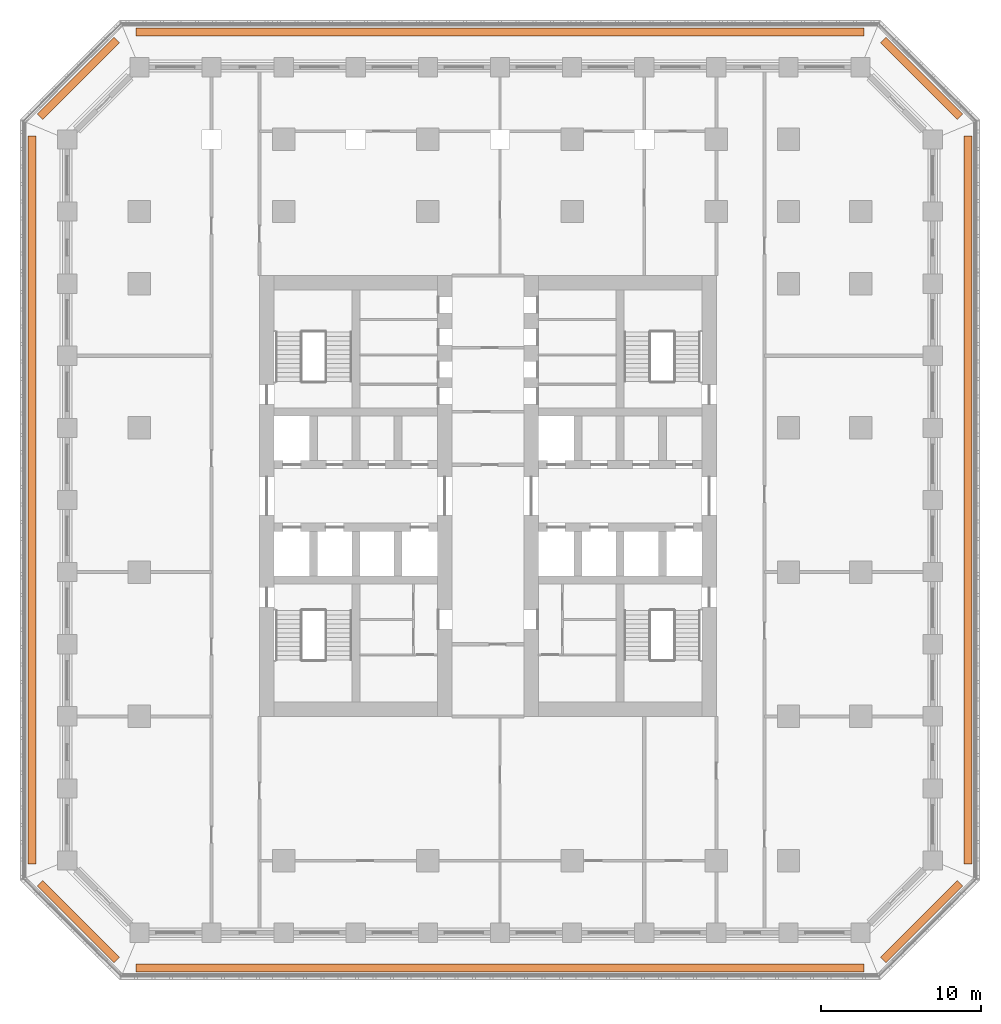
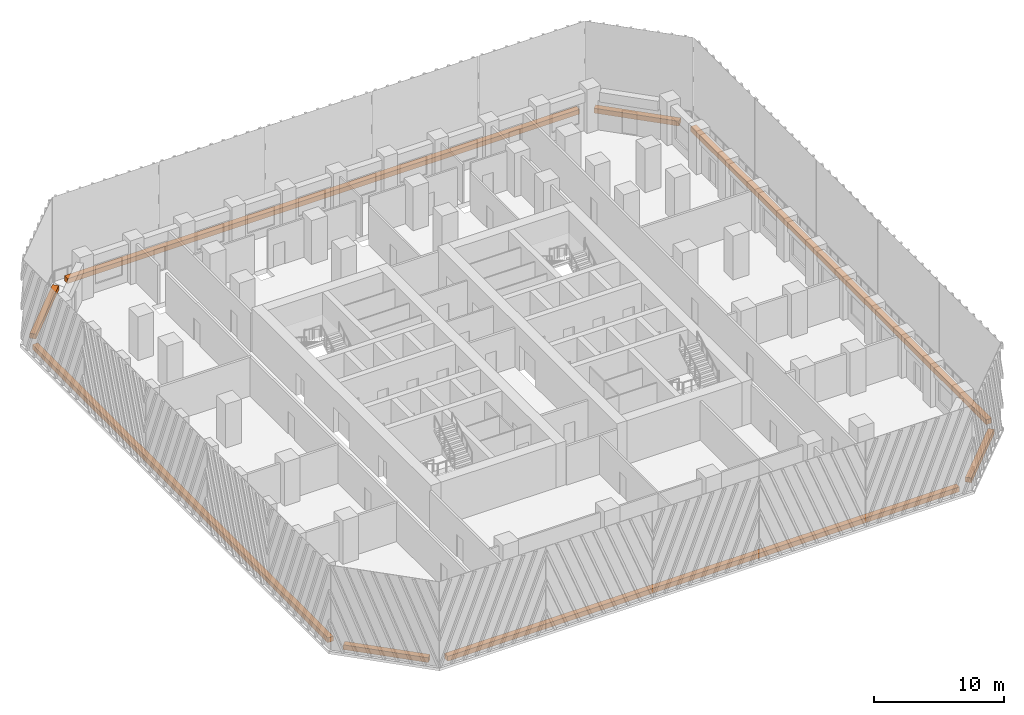
# One storey, part 19 of 19: 8 proxies.
"""IFC4 building model written with IfcOpenShell, lengths in metres."""

from ifc_helpers import new_model, si_unit, direction, frame, origin, origin_2d, place, context, subcontext, project, spatial, rectangle, extrude, material, type_object, element, save


model = new_model("IFC4")

# Units and contexts
model_context = context("Model", 3, precision=1e-05, world=origin(), true_north=direction((0.0, 1.0)))
body_context = subcontext(model_context, "Body", "Model", "MODEL_VIEW")
ifc_project = project(units=[si_unit("LENGTHUNIT", "METRE"), si_unit("AREAUNIT", "SQUARE_METRE"), si_unit("VOLUMEUNIT", "CUBIC_METRE"), si_unit("PLANEANGLEUNIT", "RADIAN"), si_unit("MASSUNIT", "GRAM", prefix="KILO")], contexts=[model_context])

# Site, building, storey
site_placement = place(None, origin())
site = spatial("IfcSite", under=ifc_project, at=site_placement, CompositionType="ELEMENT")
building_placement = place(site_placement, origin())
building = spatial("IfcBuilding", under=site, at=building_placement, Name="Corbel Stack Research Tower", CompositionType="ELEMENT")
storey_placement = place(building_placement, frame((0.0, 0.0, 82.0)))
storey = spatial("IfcBuildingStorey", under=building, at=storey_placement, Name="L18", CompositionType="ELEMENT", Elevation=82.0)

# Proxies
ifc_material = material(Name="Concrete C45/55", Category="concrete")
building_element_proxy_type = type_object("IfcBuildingElementProxyType", Name="Planter box", PredefinedType="USERDEFINED", material=ifc_material)
proxy_1_placement = place(storey_placement, frame((4.5, -24.699951171875, 0.0), z_axis=(0.0, 0.0, 1.0), x_axis=(1.0, 0.0, 0.0)))
element("IfcBuildingElementProxy", 1, at=proxy_1_placement, inside=storey, type_object=building_element_proxy_type, Name="Planter L18 S", ObjectType="PLANTER", PredefinedType="USERDEFINED", context=body_context, shape_type="SweptSolid", body=[
    extrude(rectangle(XDim=45.41064453125, YDim=0.5, at=origin_2d()), origin(), (0.0, 0.0, 1.0), 0.449951171875),
])
proxy_2_placement = place(storey_placement, frame((30.8056640625, -21.8056640625, 0.0), z_axis=(0.0, 0.0, 1.0), x_axis=(0.707106781187, 0.707106781187, 0.0)))
element("IfcBuildingElementProxy", 2, at=proxy_2_placement, inside=storey, type_object=building_element_proxy_type, Name="Planter L18 SE", ObjectType="PLANTER", PredefinedType="USERDEFINED", context=body_context, shape_type="SweptSolid", body=[
    extrude(rectangle(XDim=6.774658203125, YDim=0.5, at=origin_2d()), origin(), (0.0, 0.0, 1.0), 0.449951171875),
])
proxy_3_placement = place(storey_placement, frame((33.699951171875, 4.5, 0.0), z_axis=(0.0, 0.0, 1.0), x_axis=(0.0, 1.0, 0.0)))
element("IfcBuildingElementProxy", 3, at=proxy_3_placement, inside=storey, type_object=building_element_proxy_type, Name="Planter L18 E", ObjectType="PLANTER", PredefinedType="USERDEFINED", context=body_context, shape_type="SweptSolid", body=[
    extrude(rectangle(XDim=45.41064453125, YDim=0.5, at=origin_2d()), origin(), (0.0, 0.0, 1.0), 0.449951171875),
])
proxy_4_placement = place(storey_placement, frame((30.8056640625, 30.8056640625, 0.0), z_axis=(0.0, 0.0, 1.0), x_axis=(-0.707106781187, 0.707106781187, 0.0)))
element("IfcBuildingElementProxy", 4, at=proxy_4_placement, inside=storey, type_object=building_element_proxy_type, Name="Planter L18 NE", ObjectType="PLANTER", PredefinedType="USERDEFINED", context=body_context, shape_type="SweptSolid", body=[
    extrude(rectangle(XDim=6.774658203125, YDim=0.5, at=origin_2d()), origin(), (0.0, 0.0, 1.0), 0.449951171875),
])
proxy_5_placement = place(storey_placement, frame((4.5, 33.699951171875, 0.0), z_axis=(0.0, 0.0, 1.0), x_axis=(-1.0, 0.0, 0.0)))
element("IfcBuildingElementProxy", 5, at=proxy_5_placement, inside=storey, type_object=building_element_proxy_type, Name="Planter L18 N", ObjectType="PLANTER", PredefinedType="USERDEFINED", context=body_context, shape_type="SweptSolid", body=[
    extrude(rectangle(XDim=45.41064453125, YDim=0.5, at=origin_2d()), origin(), (0.0, 0.0, 1.0), 0.449951171875),
])
proxy_6_placement = place(storey_placement, frame((-21.8056640625, 30.8056640625, 0.0), z_axis=(0.0, 0.0, 1.0), x_axis=(-0.707106781187, -0.707106781187, 0.0)))
element("IfcBuildingElementProxy", 6, at=proxy_6_placement, inside=storey, type_object=building_element_proxy_type, Name="Planter L18 NW", ObjectType="PLANTER", PredefinedType="USERDEFINED", context=body_context, shape_type="SweptSolid", body=[
    extrude(rectangle(XDim=6.774658203125, YDim=0.5, at=origin_2d()), origin(), (0.0, 0.0, 1.0), 0.449951171875),
])
proxy_7_placement = place(storey_placement, frame((-24.699951171875, 4.5, 0.0), z_axis=(0.0, 0.0, 1.0), x_axis=(0.0, -1.0, 0.0)))
element("IfcBuildingElementProxy", 7, at=proxy_7_placement, inside=storey, type_object=building_element_proxy_type, Name="Planter L18 W", ObjectType="PLANTER", PredefinedType="USERDEFINED", context=body_context, shape_type="SweptSolid", body=[
    extrude(rectangle(XDim=45.41064453125, YDim=0.5, at=origin_2d()), origin(), (0.0, 0.0, 1.0), 0.449951171875),
])
proxy_8_placement = place(storey_placement, frame((-21.8056640625, -21.8056640625, 0.0), z_axis=(0.0, 0.0, 1.0), x_axis=(0.707106781187, -0.707106781187, 0.0)))
element("IfcBuildingElementProxy", 8, at=proxy_8_placement, inside=storey, type_object=building_element_proxy_type, Name="Planter L18 SW", ObjectType="PLANTER", PredefinedType="USERDEFINED", context=body_context, shape_type="SweptSolid", body=[
    extrude(rectangle(XDim=6.774658203125, YDim=0.5, at=origin_2d()), origin(), (0.0, 0.0, 1.0), 0.449951171875),
])

save(model, "model.ifc")
